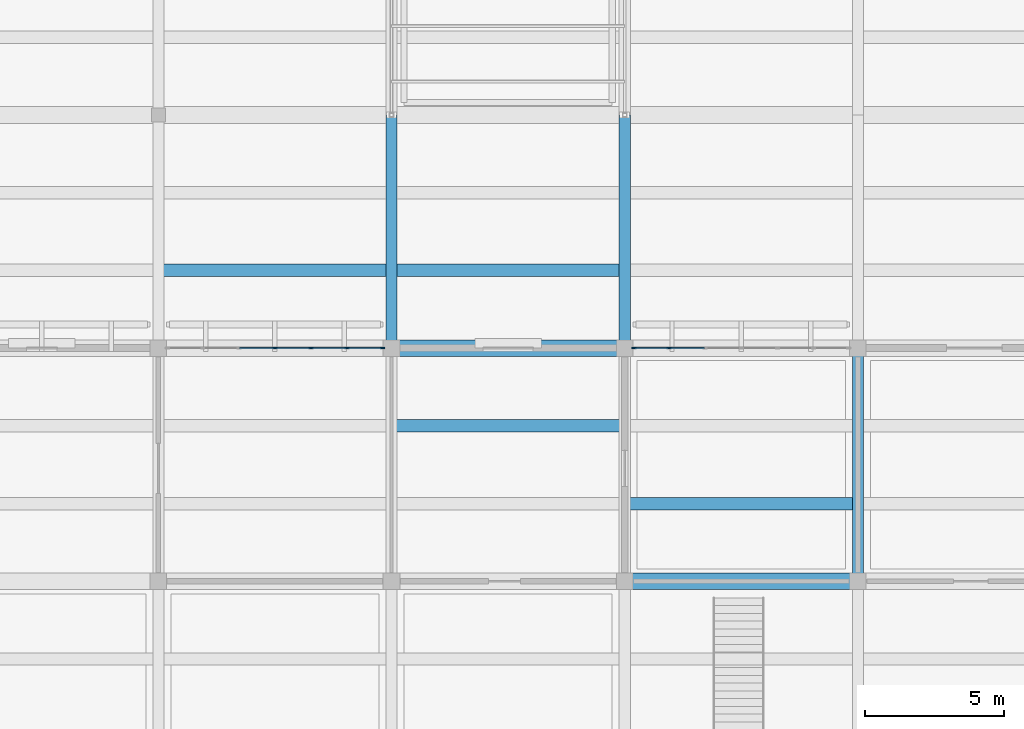
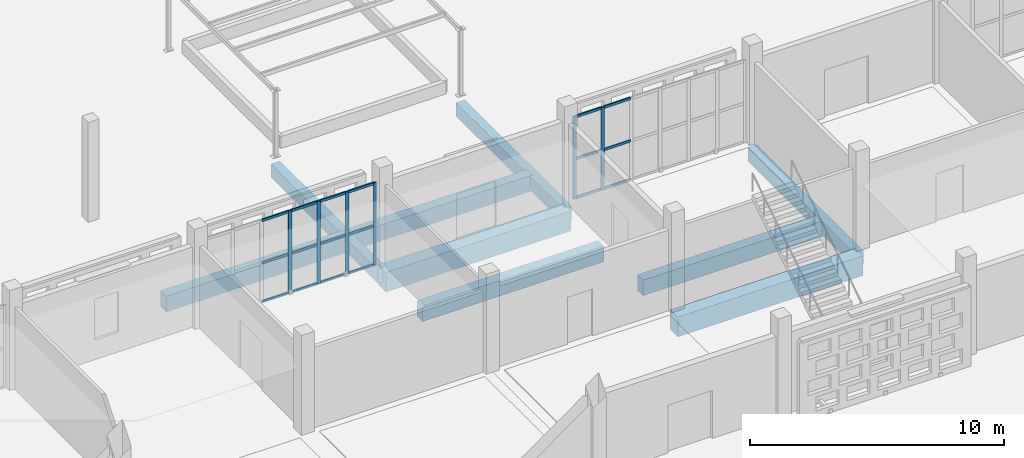
# One storey, part 9 of 129: 24 members, 9 beams, 2 elements without a shape of their own.
"""IFC4 building model written with IfcOpenShell, lengths in metres."""

from ifc_helpers import new_model, si_unit, direction, frame, origin, origin_2d, place, context, subcontext, project, spatial, rectangle, extrude, material, layer, layer_set, material_profile, profile_set, type_object, element, aggregate, save


model = new_model("IFC4")

# Units and contexts
model_context = context("Model", 3, precision=1e-05, world=origin(), true_north=direction((0.0, 1.0)))
body_context = subcontext(model_context, "Body", "Model", "MODEL_VIEW")
ifc_project = project(units=[si_unit("LENGTHUNIT", "METRE"), si_unit("AREAUNIT", "SQUARE_METRE"), si_unit("VOLUMEUNIT", "CUBIC_METRE"), si_unit("PLANEANGLEUNIT", "RADIAN"), si_unit("MASSUNIT", "GRAM", prefix="KILO")], contexts=[model_context])

# Site, building, storey
site_placement = place(None, origin())
site = spatial("IfcSite", under=ifc_project, at=site_placement, CompositionType="ELEMENT")
building_placement = place(site_placement, origin())
building = spatial("IfcBuilding", under=site, at=building_placement, Name="Varnapada Polytechnic", CompositionType="ELEMENT")
storey_placement = place(building_placement, origin())
storey = spatial("IfcBuildingStorey", under=building, at=storey_placement, Name="L00", CompositionType="ELEMENT", Elevation=0.0)

# Beams
ifc_material_1 = material(Name="Concrete C40/50", Category="concrete")
ifc_material_profile_1 = material_profile(ifc_material_1, rectangle(XDim=0.449951171875, YDim=0.75, at=origin_2d()), Name="RC 450x750")
ifc_profile_set_1 = profile_set([ifc_material_profile_1], Name="Concrete C40/50")
beam_type_1 = type_object("IfcBeamType", Name="Basement/podium secondary beam BB-01 (RC 450x750)", PredefinedType="BEAM", material=ifc_profile_set_1)
beam_1_placement = place(storey_placement, frame((58.8798828125, 44.800048828125, -0.655029296875), z_axis=(1.0, 0.0, 0.0), x_axis=(0.0, 1.0, 0.0)))
element("IfcBeam", 1, at=beam_1_placement, inside=storey, type_object=beam_type_1, Name="L00 floor joist 8/6.1", PredefinedType="BEAM", context=body_context, shape_type="SweptSolid", body=[
    extrude(rectangle(XDim=0.449951171875, YDim=0.75, at=origin_2d()), origin(), (0.0, 0.0, 1.0), 8.240234375),
])
for number, where, z_axis, x_axis, name in (
    (2, (67.280029296875, 39.199951171875, -0.675048828125), (1.0, 0.0, 0.0), (0.0, 1.0, 0.0), "L00 floor joist 9/5.2"),
    (3, (67.280029296875, 44.800048828125, -0.655029296875), (1.0, 0.0, 0.0), (0.0, 1.0, 0.0), "L00 floor joist 9/6.1"),
    (4, (75.679931640625, 36.39990234375, -0.675048828125), (1.0, 0.0, 0.0), (0.0, 1.0, 0.0), "L00 floor joist 10/5.1"),
):
    element("IfcBeam", number, at=place(storey_placement, frame(where, z_axis=z_axis, x_axis=x_axis)), inside=storey, type_object=beam_type_1, Name=name, PredefinedType="BEAM", context=body_context, shape_type="SweptSolid", body=[
        extrude(rectangle(XDim=0.449951171875, YDim=0.75, at=origin_2d()), origin(), (0.0, 0.0, 1.0), 8.239990234375),
    ])

# Curtain wall, members
ifc_material_2 = material(Name="Double low-E laminated glass", Category="glass")
ifc_layer = layer(ifc_material_2, 0.159912109375)
ifc_layer_set = layer_set([ifc_layer], Name="Double low-E laminated glass")
curtain_wall_type = type_object("IfcCurtainWallType", Name="Curtain Wall CW-01", PredefinedType="NOTDEFINED", material=ifc_layer_set)
curtain_wall_1_placement = place(storey_placement, origin())
curtain_wall_1 = element("IfcCurtainWall", 5, at=curtain_wall_1_placement, inside=storey, type_object=curtain_wall_type, Name="L00 unitised curtain wall CW-01 (6)", PredefinedType="NOTDEFINED")
ifc_material_3 = material(Name="Anodised aluminium", Category="aluminium")
ifc_material_profile_2 = material_profile(ifc_material_3, rectangle(XDim=0.06005859375, YDim=0.159912109375, at=origin_2d()), Name="ALU M60x160")
ifc_profile_set_2 = profile_set([ifc_material_profile_2], Name="Anodised aluminium")
member_type_1 = type_object("IfcMemberType", Name="Mullion M-01", PredefinedType="MULLION", material=ifc_profile_set_2)
member_1_placement = place(storey_placement, frame((63.0, 42.0, 0.0), z_axis=(0.0, 0.0, 1.0), x_axis=(0.0, 1.0, 0.0)))
member_1 = element("IfcMember", 6, at=member_1_placement, type_object=member_type_1, Name="CW-01 mullion 4", PredefinedType="MULLION", context=body_context, shape_type="SweptSolid", body=[
    extrude(rectangle(XDim=0.06005859375, YDim=0.159912109375, at=origin_2d()), origin(), (0.0, 0.0, 1.0), 3.9599609375),
])
member_2_placement = place(storey_placement, frame((64.300048828125, 42.0, 0.0), z_axis=(0.0, 0.0, 1.0), x_axis=(0.0, 1.0, 0.0)))
member_2 = element("IfcMember", 7, at=member_2_placement, type_object=member_type_1, Name="CW-01 mullion 5", PredefinedType="MULLION", context=body_context, shape_type="SweptSolid", body=[
    extrude(rectangle(XDim=0.06005859375, YDim=0.159912109375, at=origin_2d()), origin(), (0.0, 0.0, 1.0), 3.9599609375),
])
member_3_placement = place(storey_placement, frame((65.60009765625, 42.0, 0.0), z_axis=(0.0, 0.0, 1.0), x_axis=(0.0, 1.0, 0.0)))
member_3 = element("IfcMember", 8, at=member_3_placement, type_object=member_type_1, Name="CW-01 mullion 6", PredefinedType="MULLION", context=body_context, shape_type="SweptSolid", body=[
    extrude(rectangle(XDim=0.06005859375, YDim=0.159912109375, at=origin_2d()), origin(), (0.0, 0.0, 1.0), 3.9599609375),
])
member_4_placement = place(storey_placement, frame((66.8701171875, 42.0, 0.0), z_axis=(0.0, 0.0, 1.0), x_axis=(0.0, 1.0, 0.0)))
member_4 = element("IfcMember", 9, at=member_4_placement, type_object=member_type_1, Name="CW-01 mullion 7", PredefinedType="MULLION", context=body_context, shape_type="SweptSolid", body=[
    extrude(rectangle(XDim=0.06005859375, YDim=0.159912109375, at=origin_2d()), origin(), (0.0, 0.0, 1.0), 3.9599609375),
])

curtain_wall_2_placement = place(storey_placement, origin())
curtain_wall_2 = element("IfcCurtainWall", 10, at=curtain_wall_2_placement, inside=storey, type_object=curtain_wall_type, Name="L00 unitised curtain wall CW-01 (8)", PredefinedType="NOTDEFINED")
member_5_placement = place(storey_placement, frame((75.929931640625, 42.0, 0.0), z_axis=(0.0, 0.0, 1.0), x_axis=(0.0, 1.0, 0.0)))
member_5 = element("IfcMember", 11, at=member_5_placement, type_object=member_type_1, Name="CW-01 mullion 1", PredefinedType="MULLION", context=body_context, shape_type="SweptSolid", body=[
    extrude(rectangle(XDim=0.06005859375, YDim=0.159912109375, at=origin_2d()), origin(), (0.0, 0.0, 1.0), 3.9599609375),
])
member_6_placement = place(storey_placement, frame((77.199951171875, 42.0, 0.0), z_axis=(0.0, 0.0, 1.0), x_axis=(0.0, 1.0, 0.0)))
member_6 = element("IfcMember", 12, at=member_6_placement, type_object=member_type_1, Name="CW-01 mullion 2", PredefinedType="MULLION", context=body_context, shape_type="SweptSolid", body=[
    extrude(rectangle(XDim=0.06005859375, YDim=0.159912109375, at=origin_2d()), origin(), (0.0, 0.0, 1.0), 3.9599609375),
])

# Beams
ifc_material_profile_3 = material_profile(ifc_material_1, rectangle(XDim=0.39990234375, YDim=0.64990234375, at=origin_2d()), Name="RC 400x650")
ifc_profile_set_3 = profile_set([ifc_material_profile_3], Name="Concrete C40/50")
beam_type_2 = type_object("IfcBeamType", Name="Podium framing beam BB-02 (RC 400x650)", PredefinedType="BEAM", material=ifc_profile_set_3)
for number, where, z_axis, x_axis, name in (
    (13, (67.199951171875, 42.0, -0.625), (0.0, 1.0, 0.0), (-1.0, 0.0, 0.0), "L00 beam Y 6-7 at X9"),
    (14, (75.60009765625, 42.0, -0.625), (0.0, 1.0, 0.0), (-1.0, 0.0, 0.0), "L00 beam Y 6-7 at X10"),
    (15, (84.0, 33.60009765625, -0.625), (0.0, 1.0, 0.0), (-1.0, 0.0, 0.0), "L00 beam Y 5-6 at X11"),
):
    element("IfcBeam", number, at=place(storey_placement, frame(where, z_axis=z_axis, x_axis=x_axis)), inside=storey, type_object=beam_type_2, Name=name, PredefinedType="BEAM", context=body_context, shape_type="SweptSolid", body=[
        extrude(rectangle(XDim=0.39990234375, YDim=0.64990234375, at=origin_2d()), origin(), (0.0, 0.0, 1.0), 8.39990234375),
    ])

# Member
ifc_material_profile_4 = material_profile(ifc_material_3, rectangle(XDim=0.06005859375, YDim=0.1201171875, at=origin_2d()), Name="ALU T60x120")
ifc_profile_set_4 = profile_set([ifc_material_profile_4], Name="Anodised aluminium")
member_type_2 = type_object("IfcMemberType", Name="Transom T-01", PredefinedType="USERDEFINED", material=ifc_profile_set_4)
member_7_placement = place(storey_placement, frame((61.72998046875, 42.0, 0.030029296875), z_axis=(1.0, 0.0, 0.0), x_axis=(0.0, 1.0, 0.0)))
member_7 = element("IfcMember", 16, at=member_7_placement, type_object=member_type_2, Name="CW-01 transom 3.1", ObjectType="TRANSOM", PredefinedType="USERDEFINED", context=body_context, shape_type="SweptSolid", body=[
    extrude(rectangle(XDim=0.06005859375, YDim=0.1201171875, at=origin_2d()), origin(), (0.0, 0.0, 1.0), 1.239990234375),
])

member_8_placement = place(storey_placement, frame((61.72998046875, 42.0, 1.90087890625), z_axis=(1.0, 0.0, 0.0), x_axis=(0.0, 1.0, 0.0)))
member_8 = element("IfcMember", 17, at=member_8_placement, type_object=member_type_2, Name="CW-01 transom 3.2", ObjectType="TRANSOM", PredefinedType="USERDEFINED", context=body_context, shape_type="SweptSolid", body=[
    extrude(rectangle(XDim=0.06005859375, YDim=0.1201171875, at=origin_2d()), origin(), (0.0, 0.0, 1.0), 1.239990234375),
])

member_9_placement = place(storey_placement, frame((61.72998046875, 42.0, 3.929931640625), z_axis=(1.0, 0.0, 0.0), x_axis=(0.0, 1.0, 0.0)))
member_9 = element("IfcMember", 18, at=member_9_placement, type_object=member_type_2, Name="CW-01 transom 3.3", ObjectType="TRANSOM", PredefinedType="USERDEFINED", context=body_context, shape_type="SweptSolid", body=[
    extrude(rectangle(XDim=0.06005859375, YDim=0.1201171875, at=origin_2d()), origin(), (0.0, 0.0, 1.0), 1.239990234375),
])

member_10_placement = place(storey_placement, frame((63.030029296875, 42.0, 0.030029296875), z_axis=(1.0, 0.0, 0.0), x_axis=(0.0, 1.0, 0.0)))
member_10 = element("IfcMember", 19, at=member_10_placement, type_object=member_type_2, Name="CW-01 transom 4.1", ObjectType="TRANSOM", PredefinedType="USERDEFINED", context=body_context, shape_type="SweptSolid", body=[
    extrude(rectangle(XDim=0.06005859375, YDim=0.1201171875, at=origin_2d()), origin(), (0.0, 0.0, 1.0), 1.239990234375),
])

member_11_placement = place(storey_placement, frame((63.030029296875, 42.0, 1.90087890625), z_axis=(1.0, 0.0, 0.0), x_axis=(0.0, 1.0, 0.0)))
member_11 = element("IfcMember", 20, at=member_11_placement, type_object=member_type_2, Name="CW-01 transom 4.2", ObjectType="TRANSOM", PredefinedType="USERDEFINED", context=body_context, shape_type="SweptSolid", body=[
    extrude(rectangle(XDim=0.06005859375, YDim=0.1201171875, at=origin_2d()), origin(), (0.0, 0.0, 1.0), 1.239990234375),
])

member_12_placement = place(storey_placement, frame((63.030029296875, 42.0, 3.929931640625), z_axis=(1.0, 0.0, 0.0), x_axis=(0.0, 1.0, 0.0)))
member_12 = element("IfcMember", 21, at=member_12_placement, type_object=member_type_2, Name="CW-01 transom 4.3", ObjectType="TRANSOM", PredefinedType="USERDEFINED", context=body_context, shape_type="SweptSolid", body=[
    extrude(rectangle(XDim=0.06005859375, YDim=0.1201171875, at=origin_2d()), origin(), (0.0, 0.0, 1.0), 1.239990234375),
])

member_13_placement = place(storey_placement, frame((64.330078125, 42.0, 0.030029296875), z_axis=(1.0, 0.0, 0.0), x_axis=(0.0, 1.0, 0.0)))
member_13 = element("IfcMember", 22, at=member_13_placement, type_object=member_type_2, Name="CW-01 transom 5.1", ObjectType="TRANSOM", PredefinedType="USERDEFINED", context=body_context, shape_type="SweptSolid", body=[
    extrude(rectangle(XDim=0.06005859375, YDim=0.1201171875, at=origin_2d()), origin(), (0.0, 0.0, 1.0), 1.239990234375),
])

member_14_placement = place(storey_placement, frame((64.330078125, 42.0, 1.90087890625), z_axis=(1.0, 0.0, 0.0), x_axis=(0.0, 1.0, 0.0)))
member_14 = element("IfcMember", 23, at=member_14_placement, type_object=member_type_2, Name="CW-01 transom 5.2", ObjectType="TRANSOM", PredefinedType="USERDEFINED", context=body_context, shape_type="SweptSolid", body=[
    extrude(rectangle(XDim=0.06005859375, YDim=0.1201171875, at=origin_2d()), origin(), (0.0, 0.0, 1.0), 1.239990234375),
])

member_15_placement = place(storey_placement, frame((64.330078125, 42.0, 3.929931640625), z_axis=(1.0, 0.0, 0.0), x_axis=(0.0, 1.0, 0.0)))
member_15 = element("IfcMember", 24, at=member_15_placement, type_object=member_type_2, Name="CW-01 transom 5.3", ObjectType="TRANSOM", PredefinedType="USERDEFINED", context=body_context, shape_type="SweptSolid", body=[
    extrude(rectangle(XDim=0.06005859375, YDim=0.1201171875, at=origin_2d()), origin(), (0.0, 0.0, 1.0), 1.239990234375),
])

member_16_placement = place(storey_placement, frame((65.6298828125, 42.0, 0.030029296875), z_axis=(1.0, 0.0, 0.0), x_axis=(0.0, 1.0, 0.0)))
member_16 = element("IfcMember", 25, at=member_16_placement, type_object=member_type_2, Name="CW-01 transom 6.1", ObjectType="TRANSOM", PredefinedType="USERDEFINED", context=body_context, shape_type="SweptSolid", body=[
    extrude(rectangle(XDim=0.06005859375, YDim=0.1201171875, at=origin_2d()), origin(), (0.0, 0.0, 1.0), 1.210205078125),
])

member_17_placement = place(storey_placement, frame((65.6298828125, 42.0, 1.90087890625), z_axis=(1.0, 0.0, 0.0), x_axis=(0.0, 1.0, 0.0)))
member_17 = element("IfcMember", 26, at=member_17_placement, type_object=member_type_2, Name="CW-01 transom 6.2", ObjectType="TRANSOM", PredefinedType="USERDEFINED", context=body_context, shape_type="SweptSolid", body=[
    extrude(rectangle(XDim=0.06005859375, YDim=0.1201171875, at=origin_2d()), origin(), (0.0, 0.0, 1.0), 1.210205078125),
])

member_18_placement = place(storey_placement, frame((65.6298828125, 42.0, 3.929931640625), z_axis=(1.0, 0.0, 0.0), x_axis=(0.0, 1.0, 0.0)))
member_18 = element("IfcMember", 27, at=member_18_placement, type_object=member_type_2, Name="CW-01 transom 6.3", ObjectType="TRANSOM", PredefinedType="USERDEFINED", context=body_context, shape_type="SweptSolid", body=[
    extrude(rectangle(XDim=0.06005859375, YDim=0.1201171875, at=origin_2d()), origin(), (0.0, 0.0, 1.0), 1.210205078125),
])

aggregate(curtain_wall_1, [member_1, member_2, member_3, member_4, member_7, member_8, member_9, member_10, member_11, member_12, member_13, member_14, member_15, member_16, member_17, member_18])

member_19_placement = place(storey_placement, frame((75.9599609375, 42.0, 0.030029296875), z_axis=(1.0, 0.0, 0.0), x_axis=(0.0, 1.0, 0.0)))
member_19 = element("IfcMember", 28, at=member_19_placement, type_object=member_type_2, Name="CW-01 transom 1.1", ObjectType="TRANSOM", PredefinedType="USERDEFINED", context=body_context, shape_type="SweptSolid", body=[
    extrude(rectangle(XDim=0.06005859375, YDim=0.1201171875, at=origin_2d()), origin(), (0.0, 0.0, 1.0), 1.2099609375),
])

member_20_placement = place(storey_placement, frame((75.9599609375, 42.0, 1.90087890625), z_axis=(1.0, 0.0, 0.0), x_axis=(0.0, 1.0, 0.0)))
member_20 = element("IfcMember", 29, at=member_20_placement, type_object=member_type_2, Name="CW-01 transom 1.2", ObjectType="TRANSOM", PredefinedType="USERDEFINED", context=body_context, shape_type="SweptSolid", body=[
    extrude(rectangle(XDim=0.06005859375, YDim=0.1201171875, at=origin_2d()), origin(), (0.0, 0.0, 1.0), 1.2099609375),
])

member_21_placement = place(storey_placement, frame((75.9599609375, 42.0, 3.929931640625), z_axis=(1.0, 0.0, 0.0), x_axis=(0.0, 1.0, 0.0)))
member_21 = element("IfcMember", 30, at=member_21_placement, type_object=member_type_2, Name="CW-01 transom 1.3", ObjectType="TRANSOM", PredefinedType="USERDEFINED", context=body_context, shape_type="SweptSolid", body=[
    extrude(rectangle(XDim=0.06005859375, YDim=0.1201171875, at=origin_2d()), origin(), (0.0, 0.0, 1.0), 1.2099609375),
])

member_22_placement = place(storey_placement, frame((77.22998046875, 42.0, 0.030029296875), z_axis=(1.0, 0.0, 0.0), x_axis=(0.0, 1.0, 0.0)))
member_22 = element("IfcMember", 31, at=member_22_placement, type_object=member_type_2, Name="CW-01 transom 2.1", ObjectType="TRANSOM", PredefinedType="USERDEFINED", context=body_context, shape_type="SweptSolid", body=[
    extrude(rectangle(XDim=0.06005859375, YDim=0.1201171875, at=origin_2d()), origin(), (0.0, 0.0, 1.0), 1.239990234375),
])

member_23_placement = place(storey_placement, frame((77.22998046875, 42.0, 1.90087890625), z_axis=(1.0, 0.0, 0.0), x_axis=(0.0, 1.0, 0.0)))
member_23 = element("IfcMember", 32, at=member_23_placement, type_object=member_type_2, Name="CW-01 transom 2.2", ObjectType="TRANSOM", PredefinedType="USERDEFINED", context=body_context, shape_type="SweptSolid", body=[
    extrude(rectangle(XDim=0.06005859375, YDim=0.1201171875, at=origin_2d()), origin(), (0.0, 0.0, 1.0), 1.239990234375),
])

member_24_placement = place(storey_placement, frame((77.22998046875, 42.0, 3.929931640625), z_axis=(1.0, 0.0, 0.0), x_axis=(0.0, 1.0, 0.0)))
member_24 = element("IfcMember", 33, at=member_24_placement, type_object=member_type_2, Name="CW-01 transom 2.3", ObjectType="TRANSOM", PredefinedType="USERDEFINED", context=body_context, shape_type="SweptSolid", body=[
    extrude(rectangle(XDim=0.06005859375, YDim=0.1201171875, at=origin_2d()), origin(), (0.0, 0.0, 1.0), 1.239990234375),
])

aggregate(curtain_wall_2, [member_5, member_6, member_19, member_20, member_21, member_22, member_23, member_24])

# Beams
ifc_material_profile_5 = material_profile(ifc_material_1, rectangle(XDim=0.60009765625, YDim=0.949951171875, at=origin_2d()), Name="RC 600x950")
ifc_profile_set_5 = profile_set([ifc_material_profile_5], Name="Concrete C40/50")
beam_type_3 = type_object("IfcBeamType", Name="Workshop podium heavy girder BG-03 (RC 600x950)", PredefinedType="T_BEAM", material=ifc_profile_set_5)
beam_2_placement = place(storey_placement, frame((67.199951171875, 42.0, -0.77490234375), z_axis=(1.0, 0.0, 0.0), x_axis=(0.0, 1.0, 0.0)))
element("IfcBeam", 34, at=beam_2_placement, inside=storey, type_object=beam_type_3, Name="L00 beam X 9-10 at Y6", PredefinedType="T_BEAM", context=body_context, shape_type="SweptSolid", body=[
    extrude(rectangle(XDim=0.60009765625, YDim=0.949951171875, at=origin_2d()), origin(), (0.0, 0.0, 1.0), 8.400146484375),
])
beam_3_placement = place(storey_placement, frame((75.60009765625, 33.60009765625, -0.77490234375), z_axis=(1.0, 0.0, 0.0), x_axis=(0.0, 1.0, 0.0)))
element("IfcBeam", 35, at=beam_3_placement, inside=storey, type_object=beam_type_3, Name="L00 beam X 10-11 at Y5", PredefinedType="T_BEAM", context=body_context, shape_type="SweptSolid", body=[
    extrude(rectangle(XDim=0.60009765625, YDim=0.949951171875, at=origin_2d()), origin(), (0.0, 0.0, 1.0), 8.39990234375),
])

save(model, "model.ifc")
